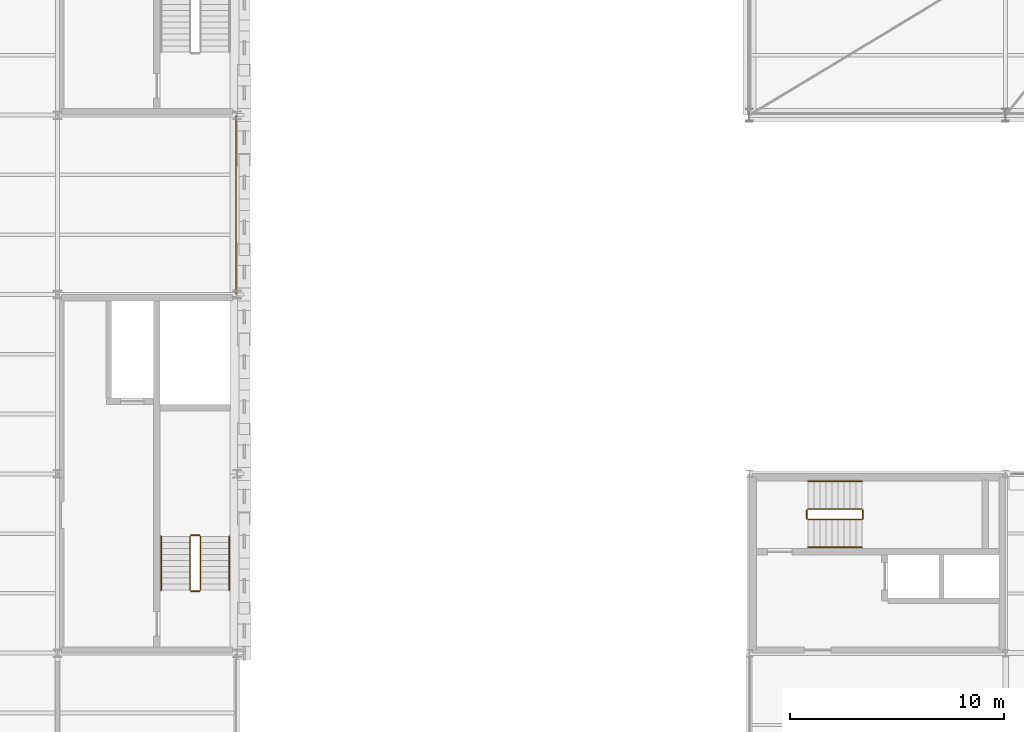
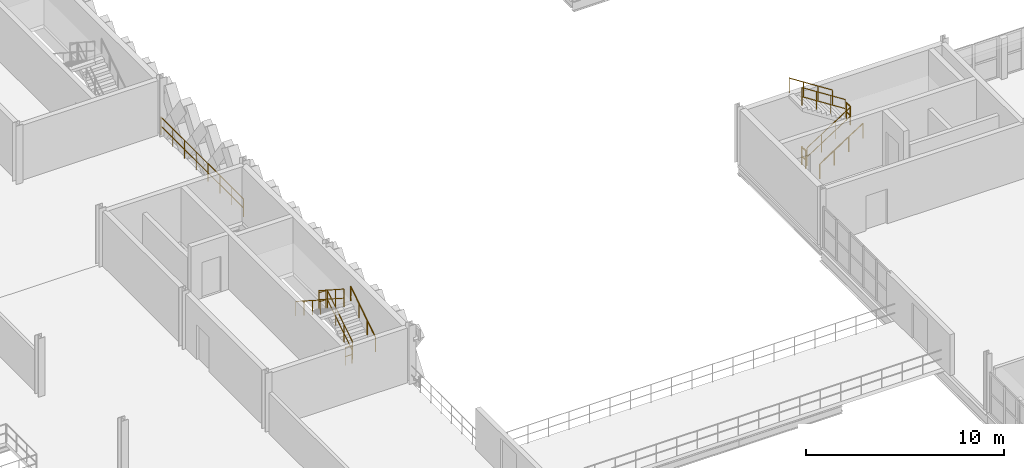
# One storey, part 95 of 101: 13 railings.
"""IFC4 building model written with IfcOpenShell, lengths in metres."""

from ifc_helpers import new_model, si_unit, direction, frame, origin, origin_2d, place, context, subcontext, project, spatial, circle, extrude, material, type_object, element, save


model = new_model("IFC4")

# Units and contexts
model_context = context("Model", 3, precision=1e-05, world=origin(), true_north=direction((0.0, 1.0)))
body_context = subcontext(model_context, "Body", "Model", "MODEL_VIEW")
ifc_project = project(units=[si_unit("LENGTHUNIT", "METRE"), si_unit("AREAUNIT", "SQUARE_METRE"), si_unit("VOLUMEUNIT", "CUBIC_METRE"), si_unit("PLANEANGLEUNIT", "RADIAN"), si_unit("MASSUNIT", "GRAM", prefix="KILO"), si_unit("THERMODYNAMICTEMPERATUREUNIT", "KELVIN"), si_unit("POWERUNIT", "WATT")], contexts=[model_context])

# Site, building, storey
site_placement = place(None, origin())
site = spatial("IfcSite", under=ifc_project, at=site_placement, CompositionType="ELEMENT")
building_placement = place(site_placement, origin())
building = spatial("IfcBuilding", under=site, at=building_placement, Name="Tembeka Court Mobility Hub", CompositionType="ELEMENT")
storey_placement = place(building_placement, frame((0.0, 0.0, 5.39990234375)))
storey = spatial("IfcBuildingStorey", under=building, at=storey_placement, Name="L01", CompositionType="ELEMENT", Elevation=5.39990234375)

# Railings
ifc_material_1 = material(Name="Painted galvanised steel balustrade", Category="steel")
railing_type_1 = type_object("IfcRailingType", Name="RL-GR01", PredefinedType="GUARDRAIL", material=ifc_material_1)
railing_1_placement = place(storey_placement, frame((90.699951171875, 41.35009765625, 0.18017578125)))
element("IfcRailing", 1, at=railing_1_placement, inside=storey, type_object=railing_type_1, Name="L01 ST04 stair guard 1-1", PredefinedType="GUARDRAIL", context=body_context, shape_type="SweptSolid", body=[
    extrude(circle(Radius=0.02392578125, at=origin_2d()), frame((0.0, 0.0, 1.09619140625), z_axis=(0.0, 0.841199657755, 0.540724639528), x_axis=(-1.0, 0.0, 0.0)), (0.0, 0.0, 1.0), 2.995849609375),
    extrude(circle(Radius=0.02392578125, at=origin_2d()), frame((0.0, 0.0, 0.5361328125), z_axis=(0.0, 0.841199657755, 0.540724639528), x_axis=(-1.0, 0.0, 0.0)), (0.0, 0.0, 1.0), 2.995849609375),
    extrude(circle(Radius=0.02099609375, at=origin_2d()), origin(), (0.0, 0.0, 1.0), 1.072021484375),
    extrude(circle(Radius=0.02099609375, at=origin_2d()), frame((0.0, 0.840087890625, 0.5400390625)), (0.0, 0.0, 1.0), 1.072021484375),
    extrude(circle(Radius=0.02099609375, at=origin_2d()), frame((0.0, 1.679931640625, 1.079833984375)), (0.0, 0.0, 1.0), 1.072021484375),
    extrude(circle(Radius=0.02099609375, at=origin_2d()), frame((0.0, 2.52001953125, 1.619873046875)), (0.0, 0.0, 1.0), 1.072021484375),
])
railing_2_placement = place(storey_placement, frame((90.64990234375, 43.919921875, 1.800048828125)))
element("IfcRailing", 2, at=railing_2_placement, inside=storey, type_object=railing_type_1, Name="L01 ST04 stair guard 2-1", PredefinedType="GUARDRAIL", context=body_context, shape_type="SweptSolid", body=[
    extrude(circle(Radius=0.02392578125, at=origin_2d()), frame((0.0, 0.0, 1.09619140625), z_axis=(-1.0, 0.0, 0.0), x_axis=(0.0, -1.0, 0.0)), (0.0, 0.0, 1.0), 0.39990234375),
    extrude(circle(Radius=0.02392578125, at=origin_2d()), frame((0.0, 0.0, 0.5361328125), z_axis=(-1.0, 0.0, 0.0), x_axis=(0.0, -1.0, 0.0)), (0.0, 0.0, 1.0), 0.39990234375),
    extrude(circle(Radius=0.02099609375, at=origin_2d()), origin(), (0.0, 0.0, 1.0), 1.072021484375),
    extrude(circle(Radius=0.02099609375, at=origin_2d()), frame((-0.39990234375, 0.0, 0.0)), (0.0, 0.0, 1.0), 1.072021484375),
])
railing_3_placement = place(storey_placement, frame((90.199951171875, 43.8701171875, 1.97998046875)))
element("IfcRailing", 3, at=railing_3_placement, inside=storey, type_object=railing_type_1, Name="L01 ST04 stair guard 3-1", PredefinedType="GUARDRAIL", context=body_context, shape_type="SweptSolid", body=[
    extrude(circle(Radius=0.02392578125, at=origin_2d()), frame((0.0, 0.0, 1.09619140625), z_axis=(0.0, -0.841162588446, 0.540782303519), x_axis=(1.0, 0.0, 0.0)), (0.0, 0.0, 1.0), 2.995849609375),
    extrude(circle(Radius=0.02392578125, at=origin_2d()), frame((0.0, 0.0, 0.5361328125), z_axis=(0.0, -0.841162588446, 0.540782303519), x_axis=(1.0, 0.0, 0.0)), (0.0, 0.0, 1.0), 2.995849609375),
    extrude(circle(Radius=0.02099609375, at=origin_2d()), origin(), (0.0, 0.0, 1.0), 1.072021484375),
    extrude(circle(Radius=0.02099609375, at=origin_2d()), frame((0.0, -0.840087890625, 0.5400390625)), (0.0, 0.0, 1.0), 1.072021484375),
    extrude(circle(Radius=0.02099609375, at=origin_2d()), frame((0.0, -1.679931640625, 1.080078125)), (0.0, 0.0, 1.0), 1.072021484375),
    extrude(circle(Radius=0.02099609375, at=origin_2d()), frame((0.0, -2.52001953125, 1.6201171875)), (0.0, 0.0, 1.0), 1.072021484375),
])
railing_4_placement = place(storey_placement, frame((90.64990234375, 41.300048828125, 0.0)))
element("IfcRailing", 4, at=railing_4_placement, inside=storey, type_object=railing_type_1, Name="L01 ST04 stair guard 4-1", PredefinedType="GUARDRAIL", context=body_context, shape_type="SweptSolid", body=[
    extrude(circle(Radius=0.02392578125, at=origin_2d()), frame((0.0, 0.0, 1.09619140625), z_axis=(-1.0, 0.0, 0.0), x_axis=(0.0, -1.0, 0.0)), (0.0, 0.0, 1.0), 0.39990234375),
    extrude(circle(Radius=0.02392578125, at=origin_2d()), frame((0.0, 0.0, 0.5361328125), z_axis=(-1.0, 0.0, 0.0), x_axis=(0.0, -1.0, 0.0)), (0.0, 0.0, 1.0), 0.39990234375),
    extrude(circle(Radius=0.02099609375, at=origin_2d()), origin(), (0.0, 0.0, 1.0), 1.072021484375),
    extrude(circle(Radius=0.02099609375, at=origin_2d()), frame((-0.39990234375, 0.0, 0.0)), (0.0, 0.0, 1.0), 1.072021484375),
])
railing_5_placement = place(storey_placement, frame((119.14990234375, 44.64990234375, 0.18017578125)))
element("IfcRailing", 5, at=railing_5_placement, inside=storey, type_object=railing_type_1, Name="L01 ST05 stair guard 1-1", PredefinedType="GUARDRAIL", context=body_context, shape_type="SweptSolid", body=[
    extrude(circle(Radius=0.02392578125, at=origin_2d()), frame((0.0, 0.0, 1.09619140625), z_axis=(0.841199657755, 0.0, 0.540724639528), x_axis=(0.0, 1.0, 0.0)), (0.0, 0.0, 1.0), 2.995849609375),
    extrude(circle(Radius=0.02392578125, at=origin_2d()), frame((0.0, 0.0, 0.5361328125), z_axis=(0.841199657755, 0.0, 0.540724639528), x_axis=(0.0, 1.0, 0.0)), (0.0, 0.0, 1.0), 2.995849609375),
    extrude(circle(Radius=0.02099609375, at=origin_2d()), origin(), (0.0, 0.0, 1.0), 1.072021484375),
    extrude(circle(Radius=0.02099609375, at=origin_2d()), frame((0.840087890625, 0.0, 0.5400390625)), (0.0, 0.0, 1.0), 1.072021484375),
    extrude(circle(Radius=0.02099609375, at=origin_2d()), frame((1.679931640625, 0.0, 1.079833984375)), (0.0, 0.0, 1.0), 1.072021484375),
    extrude(circle(Radius=0.02099609375, at=origin_2d()), frame((2.52001953125, 0.0, 1.619873046875)), (0.0, 0.0, 1.0), 1.072021484375),
])
railing_6_placement = place(storey_placement, frame((121.719970703125, 44.699951171875, 1.800048828125)))
element("IfcRailing", 6, at=railing_6_placement, inside=storey, type_object=railing_type_1, Name="L01 ST05 stair guard 2-1", PredefinedType="GUARDRAIL", context=body_context, shape_type="SweptSolid", body=[
    extrude(circle(Radius=0.02392578125, at=origin_2d()), frame((0.0, 0.0, 1.09619140625), z_axis=(0.0, 1.0, 0.0), x_axis=(-1.0, 0.0, 0.0)), (0.0, 0.0, 1.0), 0.400146484375),
    extrude(circle(Radius=0.02392578125, at=origin_2d()), frame((0.0, 0.0, 0.5361328125), z_axis=(0.0, 1.0, 0.0), x_axis=(-1.0, 0.0, 0.0)), (0.0, 0.0, 1.0), 0.400146484375),
    extrude(circle(Radius=0.02099609375, at=origin_2d()), origin(), (0.0, 0.0, 1.0), 1.072021484375),
    extrude(circle(Radius=0.02099609375, at=origin_2d()), frame((0.0, 0.400146484375, 0.0)), (0.0, 0.0, 1.0), 1.072021484375),
])
railing_7_placement = place(storey_placement, frame((121.669921875, 45.14990234375, 1.97998046875)))
element("IfcRailing", 7, at=railing_7_placement, inside=storey, type_object=railing_type_1, Name="L01 ST05 stair guard 3-1", PredefinedType="GUARDRAIL", context=body_context, shape_type="SweptSolid", body=[
    extrude(circle(Radius=0.02392578125, at=origin_2d()), frame((0.0, 0.0, 1.09619140625), z_axis=(-0.841162588446, 0.0, 0.540782303519), x_axis=(0.0, -1.0, 0.0)), (0.0, 0.0, 1.0), 2.995849609375),
    extrude(circle(Radius=0.02392578125, at=origin_2d()), frame((0.0, 0.0, 0.5361328125), z_axis=(-0.841162588446, 0.0, 0.540782303519), x_axis=(0.0, -1.0, 0.0)), (0.0, 0.0, 1.0), 2.995849609375),
    extrude(circle(Radius=0.02099609375, at=origin_2d()), origin(), (0.0, 0.0, 1.0), 1.072021484375),
    extrude(circle(Radius=0.02099609375, at=origin_2d()), frame((-0.840087890625, 0.0, 0.5400390625)), (0.0, 0.0, 1.0), 1.072021484375),
    extrude(circle(Radius=0.02099609375, at=origin_2d()), frame((-1.679931640625, 0.0, 1.080078125)), (0.0, 0.0, 1.0), 1.072021484375),
    extrude(circle(Radius=0.02099609375, at=origin_2d()), frame((-2.52001953125, 0.0, 1.6201171875)), (0.0, 0.0, 1.0), 1.072021484375),
])
railing_8_placement = place(storey_placement, frame((119.10009765625, 44.699951171875, 0.0)))
element("IfcRailing", 8, at=railing_8_placement, inside=storey, type_object=railing_type_1, Name="L01 ST05 stair guard 4-1", PredefinedType="GUARDRAIL", context=body_context, shape_type="SweptSolid", body=[
    extrude(circle(Radius=0.02392578125, at=origin_2d()), frame((0.0, 0.0, 1.09619140625), z_axis=(0.0, 1.0, 0.0), x_axis=(-1.0, 0.0, 0.0)), (0.0, 0.0, 1.0), 0.400146484375),
    extrude(circle(Radius=0.02392578125, at=origin_2d()), frame((0.0, 0.0, 0.5361328125), z_axis=(0.0, 1.0, 0.0), x_axis=(-1.0, 0.0, 0.0)), (0.0, 0.0, 1.0), 0.400146484375),
    extrude(circle(Radius=0.02099609375, at=origin_2d()), origin(), (0.0, 0.0, 1.0), 1.072021484375),
    extrude(circle(Radius=0.02099609375, at=origin_2d()), frame((0.0, 0.400146484375, 0.0)), (0.0, 0.0, 1.0), 1.072021484375),
])
railing_type_2 = type_object("IfcRailingType", Name="RL-GR02", PredefinedType="GUARDRAIL", material=ifc_material_1)
railing_9_placement = place(storey_placement, frame((92.35009765625, 55.22998046875, 0.0)))
element("IfcRailing", 9, at=railing_9_placement, inside=storey, type_object=railing_type_2, Name="Perimeter guard GR02-0068", PredefinedType="GUARDRAIL", context=body_context, shape_type="SweptSolid", body=[
    extrude(circle(Radius=0.02392578125, at=origin_2d()), frame((0.0, 0.0, 1.09619140625), z_axis=(0.0, 1.0, 0.0), x_axis=(-1.0, 0.0, 0.0)), (0.0, 0.0, 1.0), 8.340087890625),
    extrude(circle(Radius=0.02392578125, at=origin_2d()), frame((0.0, 0.0, 0.5361328125), z_axis=(0.0, 1.0, 0.0), x_axis=(-1.0, 0.0, 0.0)), (0.0, 0.0, 1.0), 8.340087890625),
    extrude(circle(Radius=0.02099609375, at=origin_2d()), origin(), (0.0, 0.0, 1.0), 1.072021484375),
    extrude(circle(Radius=0.02099609375, at=origin_2d()), frame((0.0, 1.19140625, 0.0)), (0.0, 0.0, 1.0), 1.072021484375),
    extrude(circle(Radius=0.02099609375, at=origin_2d()), frame((0.0, 2.3828125, 0.0)), (0.0, 0.0, 1.0), 1.072021484375),
    extrude(circle(Radius=0.02099609375, at=origin_2d()), frame((0.0, 3.57421875, 0.0)), (0.0, 0.0, 1.0), 1.072021484375),
    extrude(circle(Radius=0.02099609375, at=origin_2d()), frame((0.0, 4.765869140625, 0.0)), (0.0, 0.0, 1.0), 1.072021484375),
    extrude(circle(Radius=0.02099609375, at=origin_2d()), frame((0.0, 5.957275390625, 0.0)), (0.0, 0.0, 1.0), 1.072021484375),
    extrude(circle(Radius=0.02099609375, at=origin_2d()), frame((0.0, 7.148681640625, 0.0)), (0.0, 0.0, 1.0), 1.072021484375),
    extrude(circle(Radius=0.02099609375, at=origin_2d()), frame((0.0, 8.340087890625, 0.0)), (0.0, 0.0, 1.0), 1.072021484375),
])
ifc_material_2 = material(Name="Brushed stainless steel handrail", Category="steel")
railing_type_3 = type_object("IfcRailingType", Name="RL-HR01", PredefinedType="HANDRAIL", material=ifc_material_2)
railing_10_placement = place(storey_placement, frame((92.050048828125, 41.35009765625, 0.18017578125)))
element("IfcRailing", 10, at=railing_10_placement, inside=storey, type_object=railing_type_3, Name="L01 ST04 handrail 1-1", PredefinedType="HANDRAIL", context=body_context, shape_type="SweptSolid", body=[
    extrude(circle(Radius=0.02392578125, at=origin_2d()), frame((0.0, 0.0, 0.89599609375), z_axis=(0.0, 0.841199657755, 0.540724639528), x_axis=(-1.0, 0.0, 0.0)), (0.0, 0.0, 1.0), 2.995849609375),
    extrude(circle(Radius=0.02099609375, at=origin_2d()), origin(), (0.0, 0.0, 1.0), 0.871826171875),
    extrude(circle(Radius=0.02099609375, at=origin_2d()), frame((0.0, 0.840087890625, 0.5400390625)), (0.0, 0.0, 1.0), 0.871826171875),
    extrude(circle(Radius=0.02099609375, at=origin_2d()), frame((0.0, 1.679931640625, 1.079833984375)), (0.0, 0.0, 1.0), 0.871826171875),
    extrude(circle(Radius=0.02099609375, at=origin_2d()), frame((0.0, 2.52001953125, 1.619873046875)), (0.0, 0.0, 1.0), 0.871826171875),
])
railing_11_placement = place(storey_placement, frame((88.85009765625, 43.8701171875, 1.97998046875)))
element("IfcRailing", 11, at=railing_11_placement, inside=storey, type_object=railing_type_3, Name="L01 ST04 handrail 2-1", PredefinedType="HANDRAIL", context=body_context, shape_type="SweptSolid", body=[
    extrude(circle(Radius=0.02392578125, at=origin_2d()), frame((0.0, 0.0, 0.89599609375), z_axis=(0.0, -0.841162588446, 0.540782303519), x_axis=(1.0, 0.0, 0.0)), (0.0, 0.0, 1.0), 2.995849609375),
    extrude(circle(Radius=0.02099609375, at=origin_2d()), origin(), (0.0, 0.0, 1.0), 0.871826171875),
    extrude(circle(Radius=0.02099609375, at=origin_2d()), frame((0.0, -0.840087890625, 0.5400390625)), (0.0, 0.0, 1.0), 0.871826171875),
    extrude(circle(Radius=0.02099609375, at=origin_2d()), frame((0.0, -1.679931640625, 1.080078125)), (0.0, 0.0, 1.0), 0.871826171875),
    extrude(circle(Radius=0.02099609375, at=origin_2d()), frame((0.0, -2.52001953125, 1.6201171875)), (0.0, 0.0, 1.0), 0.871826171875),
])
railing_12_placement = place(storey_placement, frame((119.14990234375, 43.35009765625, 0.18017578125)))
element("IfcRailing", 12, at=railing_12_placement, inside=storey, type_object=railing_type_3, Name="L01 ST05 handrail 1-1", PredefinedType="HANDRAIL", context=body_context, shape_type="SweptSolid", body=[
    extrude(circle(Radius=0.02392578125, at=origin_2d()), frame((0.0, 0.0, 0.89599609375), z_axis=(0.841199657755, 0.0, 0.540724639528), x_axis=(0.0, 1.0, 0.0)), (0.0, 0.0, 1.0), 2.995849609375),
    extrude(circle(Radius=0.02099609375, at=origin_2d()), origin(), (0.0, 0.0, 1.0), 0.871826171875),
    extrude(circle(Radius=0.02099609375, at=origin_2d()), frame((0.840087890625, 0.0, 0.5400390625)), (0.0, 0.0, 1.0), 0.871826171875),
    extrude(circle(Radius=0.02099609375, at=origin_2d()), frame((1.679931640625, 0.0, 1.079833984375)), (0.0, 0.0, 1.0), 0.871826171875),
    extrude(circle(Radius=0.02099609375, at=origin_2d()), frame((2.52001953125, 0.0, 1.619873046875)), (0.0, 0.0, 1.0), 0.871826171875),
])
railing_13_placement = place(storey_placement, frame((121.669921875, 46.449951171875, 1.97998046875)))
element("IfcRailing", 13, at=railing_13_placement, inside=storey, type_object=railing_type_3, Name="L01 ST05 handrail 2-1", PredefinedType="HANDRAIL", context=body_context, shape_type="SweptSolid", body=[
    extrude(circle(Radius=0.02392578125, at=origin_2d()), frame((0.0, 0.0, 0.89599609375), z_axis=(-0.841162588446, 0.0, 0.540782303519), x_axis=(0.0, -1.0, 0.0)), (0.0, 0.0, 1.0), 2.995849609375),
    extrude(circle(Radius=0.02099609375, at=origin_2d()), origin(), (0.0, 0.0, 1.0), 0.871826171875),
    extrude(circle(Radius=0.02099609375, at=origin_2d()), frame((-0.840087890625, 0.0, 0.5400390625)), (0.0, 0.0, 1.0), 0.871826171875),
    extrude(circle(Radius=0.02099609375, at=origin_2d()), frame((-1.679931640625, 0.0, 1.080078125)), (0.0, 0.0, 1.0), 0.871826171875),
    extrude(circle(Radius=0.02099609375, at=origin_2d()), frame((-2.52001953125, 0.0, 1.6201171875)), (0.0, 0.0, 1.0), 0.871826171875),
])

save(model, "model.ifc")
